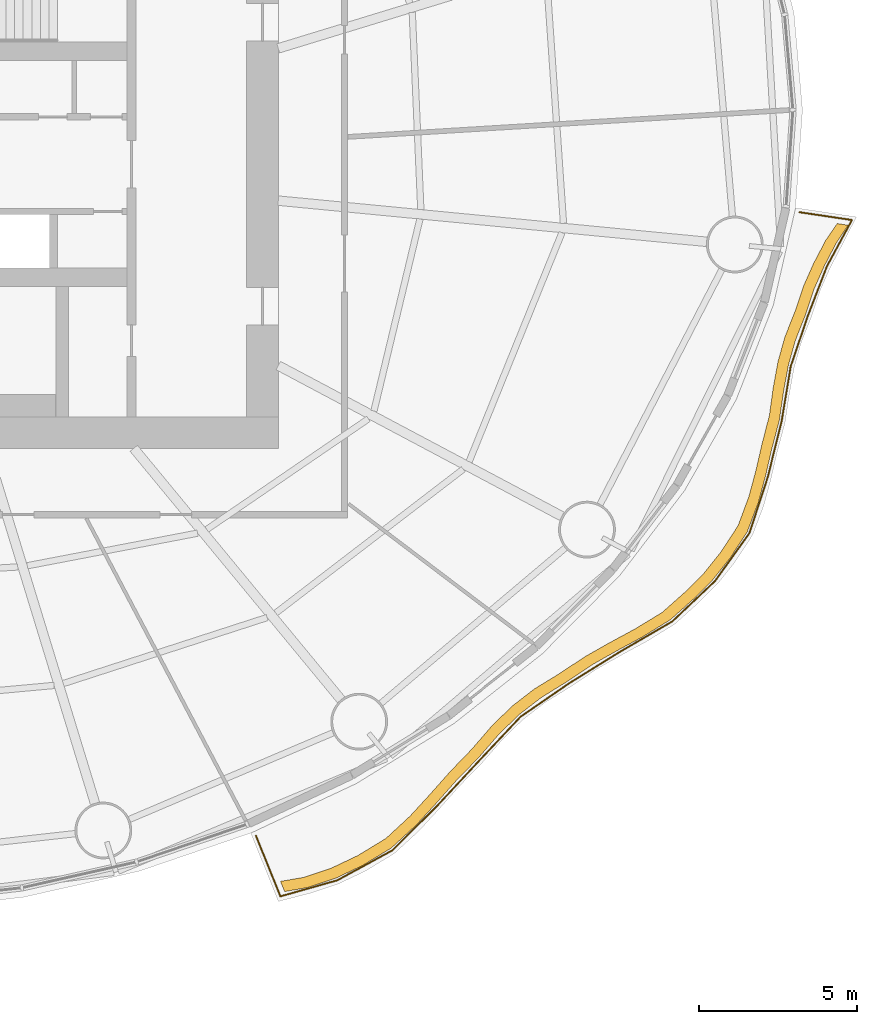
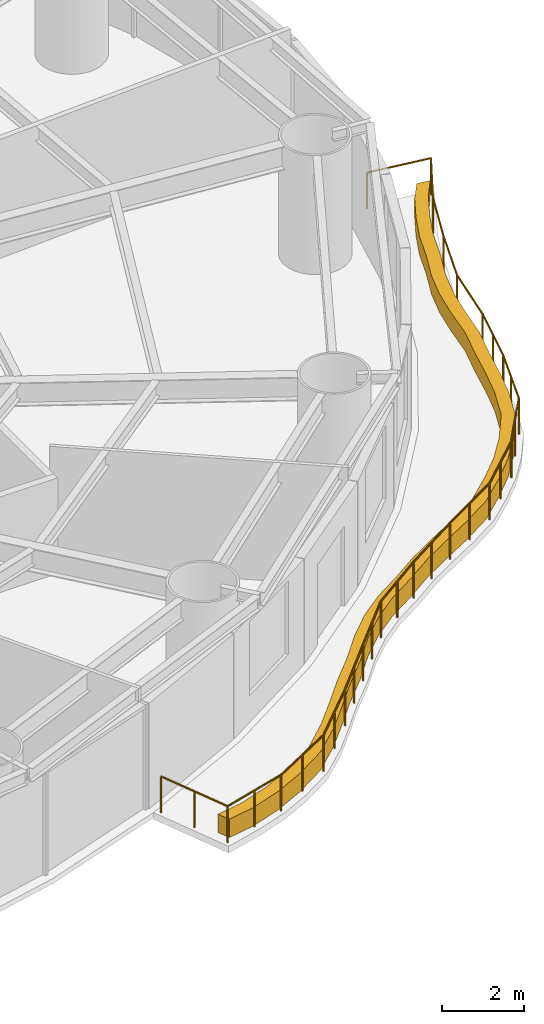
# One storey, part 14 of 16: 1 covering, 1 railing.
"""IFC4 building model written with IfcOpenShell, lengths in metres."""

from ifc_helpers import new_model, si_unit, direction, frame, origin, origin_2d, place, context, subcontext, project, spatial, polyline, circle, outline, extrude, material, type_object, element, save


model = new_model("IFC4")

# Units and contexts
model_context = context("Model", 3, precision=1e-05, world=origin(), true_north=direction((0.0, 1.0)))
body_context = subcontext(model_context, "Body", "Model", "MODEL_VIEW")
ifc_project = project(units=[si_unit("LENGTHUNIT", "METRE"), si_unit("AREAUNIT", "SQUARE_METRE"), si_unit("VOLUMEUNIT", "CUBIC_METRE"), si_unit("PLANEANGLEUNIT", "RADIAN"), si_unit("MASSUNIT", "GRAM", prefix="KILO")], contexts=[model_context])

# Site, building, storey
site_placement = place(None, origin())
site = spatial("IfcSite", under=ifc_project, at=site_placement, CompositionType="ELEMENT")
building_placement = place(site_placement, origin())
building = spatial("IfcBuilding", under=site, at=building_placement, Name="Vermilion Reach Broadcast Tower", CompositionType="ELEMENT")
storey_placement = place(building_placement, frame((0.0, 0.0, 73.0)))
storey = spatial("IfcBuildingStorey", under=building, at=storey_placement, Name="L15", CompositionType="ELEMENT", Elevation=73.0)

# Covering
ifc_material_1 = material(Name="Planting soil and greenery")
covering_type = type_object("IfcCoveringType", Name="Balcony PLANTER", PredefinedType="USERDEFINED", material=ifc_material_1)
covering_placement = place(storey_placement, origin())
element("IfcCovering", 1, at=covering_placement, inside=storey, type_object=covering_type, Name="PLANTER L15 group 4", ObjectType="PLANTER", PredefinedType="USERDEFINED", context=body_context, shape_type="SweptSolid", body=[
    extrude(outline(polyline([(6.20068359375, -23.0439453125), (6.955810546875, -22.9091796875), (7.837158203125, -22.612548828125), (8.671630859375, -22.21630859375), (9.578369140625, -21.665283203125), (10.3583984375, -20.948486328125), (10.997314453125, -20.251953125), (11.627197265625, -19.54052734375), (12.33740234375, -18.810546875), (12.984619140625, -18.066650390625), (13.6259765625, -17.441162109375), (14.331298828125, -16.896728515625), (15.15673828125, -16.3876953125), (15.955322265625, -15.85205078125), (16.74169921875, -15.406005859375), (17.54150390625, -14.97314453125), (18.424560546875, -14.430419921875), (19.171142578125, -13.76123046875), (19.774169921875, -13.154541015625), (20.3046875, -12.492431640625), (20.85791015625, -11.6455078125), (21.21142578125, -10.711181640625), (21.43359375, -9.88720703125), (21.62744140625, -9.047119140625), (21.8740234375, -8.11279296875), (22.01025390625, -7.1845703125), (22.158935546875, -6.376708984375), (22.377197265625, -5.59619140625), (22.70361328125, -4.773193359375), (22.978759765625, -3.94482421875), (23.30615234375, -3.2099609375), (23.684814453125, -2.48681640625), (24.054931640625, -1.930908203125), (23.708740234375, -1.87939453125), (23.343505859375, -2.40869140625), (22.96484375, -3.1318359375), (22.6376953125, -3.86669921875), (22.369140625, -4.669677734375), (22.051513671875, -5.46826171875), (21.833251953125, -6.248779296875), (21.684326171875, -7.056640625), (21.55810546875, -7.962158203125), (21.322998046875, -8.874267578125), (21.12939453125, -9.71435546875), (20.906982421875, -10.538330078125), (20.56591796875, -11.452392578125), (20.0263671875, -12.280029296875), (19.495849609375, -12.942138671875), (18.892822265625, -13.548828125), (18.16064453125, -14.20068359375), (17.292724609375, -14.72705078125), (16.492919921875, -15.159912109375), (15.70654296875, -15.60595703125), (14.92333984375, -16.126708984375), (14.114501953125, -16.6220703125), (13.4091796875, -17.16650390625), (12.767578125, -17.791748046875), (12.136962890625, -18.523681640625), (11.44384765625, -19.242431640625), (10.81396484375, -19.953857421875), (10.175048828125, -20.650390625), (9.411865234375, -21.357421875), (8.52294921875, -21.8994140625), (7.6884765625, -22.2958984375), (6.80712890625, -22.59228515625), (6.069580078125, -22.71923828125), (6.20068359375, -23.0439453125)])), origin(), (0.0, 0.0, 1.0), 0.550048828125),
])

# Railing
ifc_material_2 = material(Name="Stainless steel 316 balustrade", Category="steel")
railing_type = type_object("IfcRailingType", Name="Balcony guard 1100", PredefinedType="BALUSTRADE", material=ifc_material_2)
railing_placement = place(storey_placement, frame((5.293701171875, -21.279052734375, 0.0)))
element("IfcRailing", 2, at=railing_placement, inside=storey, type_object=railing_type, Name="Balcony guard L15 group 4", PredefinedType="BALUSTRADE", context=body_context, shape_type="SweptSolid", body=[
    extrude(circle(Radius=0.02490234375, at=origin_2d()), frame((0.0, 0.0, 1.0751953125), z_axis=(0.37460763289, -0.927183434591, 0.0), x_axis=(0.927183434591, 0.37460763289, 0.0)), (0.0, 0.0, 1.0), 2.06591796875),
    extrude(circle(Radius=0.02490234375, at=origin_2d()), frame((0.77392578125, -1.91552734375, 1.0751953125), z_axis=(0.962340521731, 0.271846869092, 0.0), x_axis=(-0.271846869092, 0.962340521731, 0.0)), (0.0, 0.0, 1.0), 1.874267578125),
    extrude(circle(Radius=0.02490234375, at=origin_2d()), frame((2.57763671875, -1.406005859375, 1.0751953125), z_axis=(0.878430500096, 0.47787012514, 0.0), x_axis=(-0.47787012514, 0.878430500096, 0.0)), (0.0, 0.0, 1.0), 1.986328125),
    extrude(circle(Radius=0.02490234375, at=origin_2d()), frame((4.322509765625, -0.456787109375, 1.0751953125), z_axis=(0.708928742672, 0.705280113014, 0.0), x_axis=(-0.705280113014, 0.708928742672, 0.0)), (0.0, 0.0, 1.0), 2.00732421875),
    extrude(circle(Radius=0.02490234375, at=origin_2d()), frame((5.74560546875, 0.958984375, 1.0751953125), z_axis=(0.681343080975, 0.731964210879, 0.0), x_axis=(-0.731964210879, 0.681343080975, 0.0)), (0.0, 0.0, 1.0), 1.97265625),
    extrude(circle(Radius=0.02490234375, at=origin_2d()), frame((7.089599609375, 2.40283203125, 1.0751953125), z_axis=(0.685546480185, 0.728028861726, 0.0), x_axis=(-0.728028861726, 0.685546480185, 0.0)), (0.0, 0.0, 1.0), 1.885009765625),
    extrude(circle(Radius=0.02490234375, at=origin_2d()), frame((8.3818359375, 3.775146484375, 1.0751953125), z_axis=(0.823609622717, 0.567157111714, 0.0), x_axis=(-0.567157111714, 0.823609622717, 0.0)), (0.0, 0.0, 1.0), 1.863037109375),
    extrude(circle(Radius=0.02490234375, at=origin_2d()), frame((9.916259765625, 4.831787109375, 1.0751953125), z_axis=(0.849864084507, 0.527001933454, 0.0), x_axis=(-0.527001933454, 0.849864084507, 0.0)), (0.0, 0.0, 1.0), 1.869384765625),
    extrude(circle(Radius=0.02490234375, at=origin_2d()), frame((11.5048828125, 5.81689453125, 1.0751953125), z_axis=(0.864794207354, 0.502126457107, 0.0), x_axis=(-0.502126457107, 0.864794207354, 0.0)), (0.0, 0.0, 1.0), 1.9501953125),
    extrude(circle(Radius=0.02490234375, at=origin_2d()), frame((13.19140625, 6.796142578125, 1.0751953125), z_axis=(0.726434806732, 0.687235382943, 0.0), x_axis=(-0.687235382943, 0.726434806732, 0.0)), (0.0, 0.0, 1.0), 1.8623046875),
    extrude(circle(Radius=0.02490234375, at=origin_2d()), frame((14.544189453125, 8.075927734375, 1.0751953125), z_axis=(0.583244473288, 0.812296672638, 0.0), x_axis=(-0.812296672638, 0.583244473288, 0.0)), (0.0, 0.0, 1.0), 1.863037109375),
    extrude(circle(Radius=0.02490234375, at=origin_2d()), frame((15.630859375, 9.58935546875, 1.0751953125), z_axis=(0.311842804427, 0.950133709184, 0.0), x_axis=(-0.950133709184, 0.311842804427, 0.0)), (0.0, 0.0, 1.0), 1.85546875),
    extrude(circle(Radius=0.02490234375, at=origin_2d()), frame((16.20947265625, 11.352294921875, 1.0751953125), z_axis=(0.241532959094, 0.970392616249, 0.0), x_axis=(-0.970392616249, 0.241532959094, 0.0)), (0.0, 0.0, 1.0), 1.83349609375),
    extrude(circle(Radius=0.02490234375, at=origin_2d()), frame((16.65234375, 13.131591796875, 1.0751953125), z_axis=(0.162806189122, 0.986658068828, 0.0), x_axis=(-0.986658068828, 0.162806189122, 0.0)), (0.0, 0.0, 1.0), 1.764892578125),
    extrude(circle(Radius=0.02490234375, at=origin_2d()), frame((16.939697265625, 14.873046875, 1.0751953125), z_axis=(0.321609155215, 0.946872510575, 0.0), x_axis=(-0.946872510575, 0.321609155215, 0.0)), (0.0, 0.0, 1.0), 1.69970703125),
    extrude(circle(Radius=0.02490234375, at=origin_2d()), frame((17.486328125, 16.482421875, 1.0751953125), z_axis=(0.35929047295, 0.933225779781, 0.0), x_axis=(-0.933225779781, 0.35929047295, 0.0)), (0.0, 0.0, 1.0), 1.68115234375),
    extrude(circle(Radius=0.02490234375, at=origin_2d()), frame((18.09033203125, 18.05126953125, 1.0751953125), z_axis=(0.475852142522, 0.879525291539, 0.0), x_axis=(-0.879525291539, 0.475852142522, 0.0)), (0.0, 0.0, 1.0), 1.660888671875),
    extrude(circle(Radius=0.02490234375, at=origin_2d()), frame((18.880615234375, 19.511962890625, 1.0751953125), z_axis=(-0.989089277081, 0.147317351199, 0.0), x_axis=(-0.147317351199, -0.989089277081, 0.0)), (0.0, 0.0, 1.0), 1.680419921875),
    extrude(circle(Radius=0.02490234375, at=origin_2d()), origin(), (0.0, 0.0, 1.0), 1.050048828125),
    extrude(circle(Radius=0.02490234375, at=origin_2d()), frame((0.386962890625, -0.957763671875, 0.0)), (0.0, 0.0, 1.0), 1.050048828125),
    extrude(circle(Radius=0.02490234375, at=origin_2d()), frame((0.77392578125, -1.91552734375, 0.0)), (0.0, 0.0, 1.0), 1.050048828125),
    extrude(circle(Radius=0.02490234375, at=origin_2d()), frame((1.67578125, -1.66064453125, 0.0)), (0.0, 0.0, 1.0), 1.050048828125),
    extrude(circle(Radius=0.02490234375, at=origin_2d()), frame((2.57763671875, -1.406005859375, 0.0)), (0.0, 0.0, 1.0), 1.050048828125),
    extrude(circle(Radius=0.02490234375, at=origin_2d()), frame((3.4501953125, -0.931396484375, 0.0)), (0.0, 0.0, 1.0), 1.050048828125),
    extrude(circle(Radius=0.02490234375, at=origin_2d()), frame((4.322509765625, -0.456787109375, 0.0)), (0.0, 0.0, 1.0), 1.050048828125),
    extrude(circle(Radius=0.02490234375, at=origin_2d()), frame((5.0341796875, 0.2509765625, 0.0)), (0.0, 0.0, 1.0), 1.050048828125),
    extrude(circle(Radius=0.02490234375, at=origin_2d()), frame((5.74560546875, 0.958984375, 0.0)), (0.0, 0.0, 1.0), 1.050048828125),
    extrude(circle(Radius=0.02490234375, at=origin_2d()), frame((6.41748046875, 1.680908203125, 0.0)), (0.0, 0.0, 1.0), 1.050048828125),
    extrude(circle(Radius=0.02490234375, at=origin_2d()), frame((7.089599609375, 2.40283203125, 0.0)), (0.0, 0.0, 1.0), 1.050048828125),
    extrude(circle(Radius=0.02490234375, at=origin_2d()), frame((7.73583984375, 3.0888671875, 0.0)), (0.0, 0.0, 1.0), 1.050048828125),
    extrude(circle(Radius=0.02490234375, at=origin_2d()), frame((8.3818359375, 3.775146484375, 0.0)), (0.0, 0.0, 1.0), 1.050048828125),
    extrude(circle(Radius=0.02490234375, at=origin_2d()), frame((9.14892578125, 4.303466796875, 0.0)), (0.0, 0.0, 1.0), 1.050048828125),
    extrude(circle(Radius=0.02490234375, at=origin_2d()), frame((9.916259765625, 4.831787109375, 0.0)), (0.0, 0.0, 1.0), 1.050048828125),
    extrude(circle(Radius=0.02490234375, at=origin_2d()), frame((10.71044921875, 5.32421875, 0.0)), (0.0, 0.0, 1.0), 1.050048828125),
    extrude(circle(Radius=0.02490234375, at=origin_2d()), frame((11.5048828125, 5.81689453125, 0.0)), (0.0, 0.0, 1.0), 1.050048828125),
    extrude(circle(Radius=0.02490234375, at=origin_2d()), frame((12.34814453125, 6.306640625, 0.0)), (0.0, 0.0, 1.0), 1.050048828125),
    extrude(circle(Radius=0.02490234375, at=origin_2d()), frame((13.19140625, 6.796142578125, 0.0)), (0.0, 0.0, 1.0), 1.050048828125),
    extrude(circle(Radius=0.02490234375, at=origin_2d()), frame((13.86767578125, 7.43603515625, 0.0)), (0.0, 0.0, 1.0), 1.050048828125),
    extrude(circle(Radius=0.02490234375, at=origin_2d()), frame((14.544189453125, 8.075927734375, 0.0)), (0.0, 0.0, 1.0), 1.050048828125),
    extrude(circle(Radius=0.02490234375, at=origin_2d()), frame((15.08740234375, 8.83251953125, 0.0)), (0.0, 0.0, 1.0), 1.050048828125),
    extrude(circle(Radius=0.02490234375, at=origin_2d()), frame((15.630859375, 9.58935546875, 0.0)), (0.0, 0.0, 1.0), 1.050048828125),
    extrude(circle(Radius=0.02490234375, at=origin_2d()), frame((15.920166015625, 10.470703125, 0.0)), (0.0, 0.0, 1.0), 1.050048828125),
    extrude(circle(Radius=0.02490234375, at=origin_2d()), frame((16.20947265625, 11.352294921875, 0.0)), (0.0, 0.0, 1.0), 1.050048828125),
    extrude(circle(Radius=0.02490234375, at=origin_2d()), frame((16.430908203125, 12.241943359375, 0.0)), (0.0, 0.0, 1.0), 1.050048828125),
    extrude(circle(Radius=0.02490234375, at=origin_2d()), frame((16.65234375, 13.131591796875, 0.0)), (0.0, 0.0, 1.0), 1.050048828125),
    extrude(circle(Radius=0.02490234375, at=origin_2d()), frame((16.939697265625, 14.873046875, 0.0)), (0.0, 0.0, 1.0), 1.050048828125),
    extrude(circle(Radius=0.02490234375, at=origin_2d()), frame((17.486328125, 16.482421875, 0.0)), (0.0, 0.0, 1.0), 1.050048828125),
    extrude(circle(Radius=0.02490234375, at=origin_2d()), frame((18.09033203125, 18.05126953125, 0.0)), (0.0, 0.0, 1.0), 1.050048828125),
    extrude(circle(Radius=0.02490234375, at=origin_2d()), frame((18.880615234375, 19.511962890625, 0.0)), (0.0, 0.0, 1.0), 1.050048828125),
    extrude(circle(Radius=0.02490234375, at=origin_2d()), frame((17.218505859375, 19.759521484375, 0.0)), (0.0, 0.0, 1.0), 1.050048828125),
])

save(model, "model.ifc")
